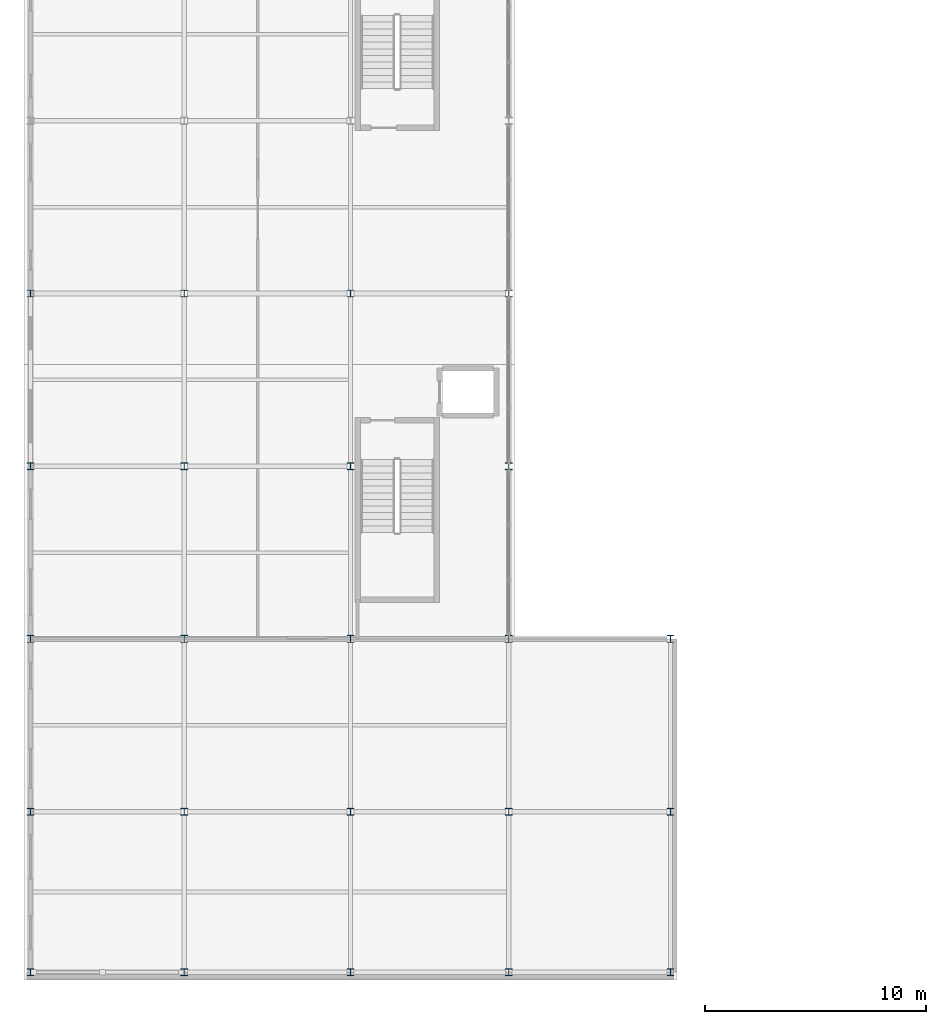
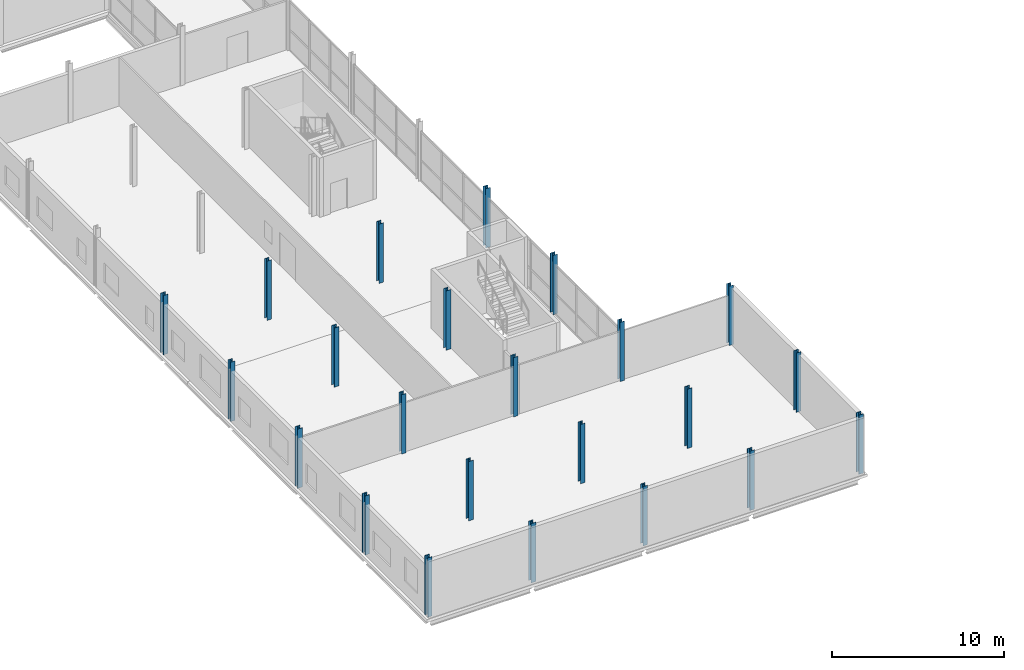
# One storey, part 1 of 60: 23 columns.
"""IFC4 building model written with IfcOpenShell, lengths in metres."""

from ifc_helpers import new_model, si_unit, direction, frame, origin, origin_2d, place, context, subcontext, project, spatial, i_section, extrude, material, material_profile, profile_set, type_object, element, save


model = new_model("IFC4")

# Units and contexts
model_context = context("Model", 3, precision=1e-05, world=origin(), true_north=direction((0.0, 1.0)))
body_context = subcontext(model_context, "Body", "Model", "MODEL_VIEW")
ifc_project = project(units=[si_unit("LENGTHUNIT", "METRE"), si_unit("AREAUNIT", "SQUARE_METRE"), si_unit("VOLUMEUNIT", "CUBIC_METRE"), si_unit("PLANEANGLEUNIT", "RADIAN"), si_unit("MASSUNIT", "GRAM", prefix="KILO")], contexts=[model_context])

# Site, building, storey
site_placement = place(None, origin())
site = spatial("IfcSite", under=ifc_project, at=site_placement, CompositionType="ELEMENT")
building_placement = place(site_placement, origin())
building = spatial("IfcBuilding", under=site, at=building_placement, Name="Quillay Park Conservatory", CompositionType="ELEMENT")
storey_placement = place(building_placement, frame((0.0, 0.0, 9.89990234375)))
storey = spatial("IfcBuildingStorey", under=building, at=storey_placement, Name="L02", CompositionType="ELEMENT", Elevation=9.89990234375)

# Columns
ifc_material = material(Name="Steel ASTM A992 Grade 50", Category="steel")
ifc_material_profile = material_profile(ifc_material, i_section(OverallWidth=0.306884765625, OverallDepth=0.31396484375, WebThickness=0.011962890625, FlangeThickness=0.018798828125, FilletRadius=0.014892578125, at=origin_2d()), Name="W310x117")
ifc_profile_set = profile_set([ifc_material_profile], Name="Steel ASTM A992 Grade 50")
column_type = type_object("IfcColumnType", Name="COMPOSITE STEEL COLUMN W310 X117", PredefinedType="COLUMN", material=ifc_profile_set)
for number, where, z_axis, x_axis, name in (
    (1, (0.550048828125, 0.550048828125, 0.0), (0.0, 0.0, 1.0), (1.0, 0.0, 0.0), "L02 column COL-V3-L02-0-0"),
    (2, (0.550048828125, 7.800048828125, 0.0), (0.0, 0.0, 1.0), (1.0, 0.0, 0.0), "L02 column COL-V3-L02-0-1"),
    (3, (0.550048828125, 15.60009765625, 0.0), (0.0, 0.0, 1.0), (1.0, 0.0, 0.0), "L02 column COL-V3-L02-0-2"),
    (4, (0.550048828125, 23.39990234375, 0.0), (0.0, 0.0, 1.0), (1.0, 0.0, 0.0), "L02 column COL-V3-L02-0-3"),
    (5, (0.550048828125, 31.199951171875, 0.0), (0.0, 0.0, 1.0), (1.0, 0.0, 0.0), "L02 column COL-V3-L02-0-4"),
    (6, (7.5, 0.550048828125, 0.0), (0.0, 0.0, 1.0), (1.0, 0.0, 0.0), "L02 column COL-V3-L02-1-0"),
    (7, (7.5, 7.800048828125, 0.0), (0.0, 0.0, 1.0), (1.0, 0.0, 0.0), "L02 column COL-V3-L02-1-1"),
    (8, (7.5, 15.60009765625, 0.0), (0.0, 0.0, 1.0), (1.0, 0.0, 0.0), "L02 column COL-V3-L02-1-2"),
    (9, (7.5, 23.39990234375, 0.0), (0.0, 0.0, 1.0), (1.0, 0.0, 0.0), "L02 column COL-V3-L02-1-3"),
    (10, (7.5, 31.199951171875, 0.0), (0.0, 0.0, 1.0), (1.0, 0.0, 0.0), "L02 column COL-V3-L02-1-4"),
    (11, (15.0, 0.550048828125, 0.0), (0.0, 0.0, 1.0), (1.0, 0.0, 0.0), "L02 column COL-V3-L02-2-0"),
    (12, (15.0, 7.800048828125, 0.0), (0.0, 0.0, 1.0), (1.0, 0.0, 0.0), "L02 column COL-V3-L02-2-1"),
    (13, (15.0, 15.60009765625, 0.0), (0.0, 0.0, 1.0), (1.0, 0.0, 0.0), "L02 column COL-V3-L02-2-2"),
    (14, (15.0, 23.39990234375, 0.0), (0.0, 0.0, 1.0), (1.0, 0.0, 0.0), "L02 column COL-V3-L02-2-3"),
    (15, (15.0, 31.199951171875, 0.0), (0.0, 0.0, 1.0), (1.0, 0.0, 0.0), "L02 column COL-V3-L02-2-4"),
    (16, (22.14990234375, 0.550048828125, 0.0), (0.0, 0.0, 1.0), (1.0, 0.0, 0.0), "L02 column COL-V3-L02-3-0"),
    (17, (22.14990234375, 7.800048828125, 0.0), (0.0, 0.0, 1.0), (1.0, 0.0, 0.0), "L02 column COL-V3-L02-3-1"),
    (18, (22.14990234375, 15.60009765625, 0.0), (0.0, 0.0, 1.0), (1.0, 0.0, 0.0), "L02 column COL-V3-L02-3-2"),
    (19, (22.14990234375, 23.39990234375, 0.0), (0.0, 0.0, 1.0), (1.0, 0.0, 0.0), "L02 column COL-V3-L02-3-3"),
    (20, (22.14990234375, 31.199951171875, 0.0), (0.0, 0.0, 1.0), (1.0, 0.0, 0.0), "L02 column COL-V3-L02-3-4"),
    (21, (29.449951171875, 0.550048828125, 0.0), (0.0, 0.0, 1.0), (1.0, 0.0, 0.0), "L02 column COL-V3-L02-4-0"),
    (22, (29.449951171875, 7.800048828125, 0.0), (0.0, 0.0, 1.0), (1.0, 0.0, 0.0), "L02 column COL-V3-L02-4-1"),
    (23, (29.449951171875, 15.60009765625, 0.0), (0.0, 0.0, 1.0), (1.0, 0.0, 0.0), "L02 column COL-V3-L02-4-2"),
):
    element("IfcColumn", number, at=place(storey_placement, frame(where, z_axis=z_axis, x_axis=x_axis)), inside=storey, type_object=column_type, Name=name, PredefinedType="COLUMN", context=body_context, shape_type="SweptSolid", body=[
        extrude(i_section(OverallWidth=0.306884765625, OverallDepth=0.31396484375, WebThickness=0.011962890625, FlangeThickness=0.018798828125, FilletRadius=0.014892578125, at=origin_2d()), origin(), (0.0, 0.0, 1.0), 4.2001953125),
    ])

save(model, "model.ifc")
